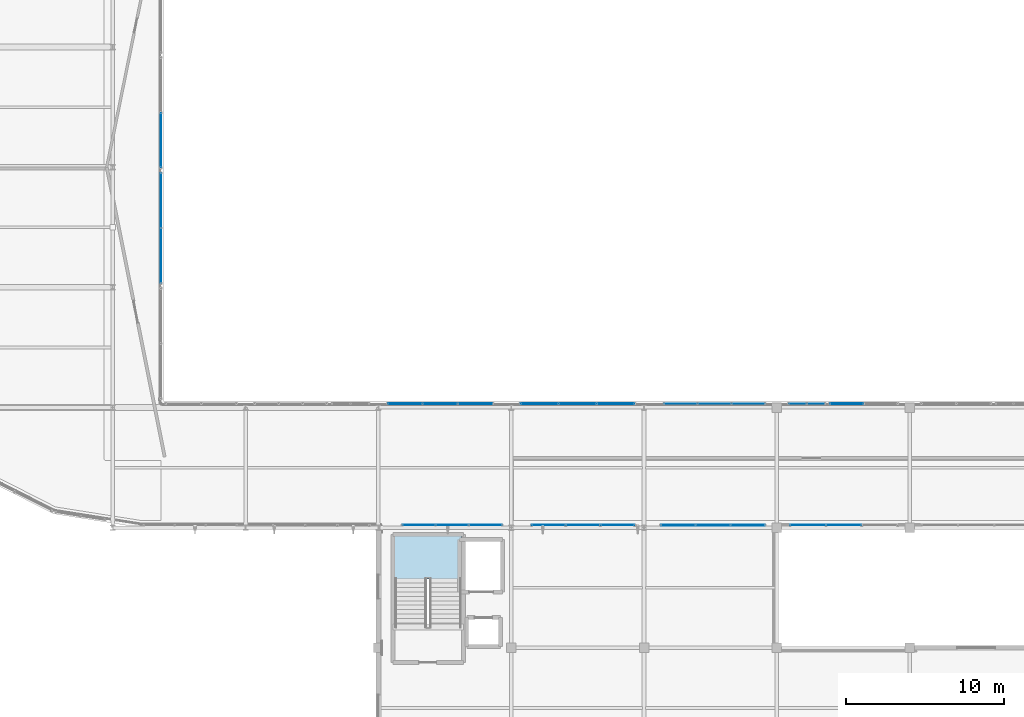
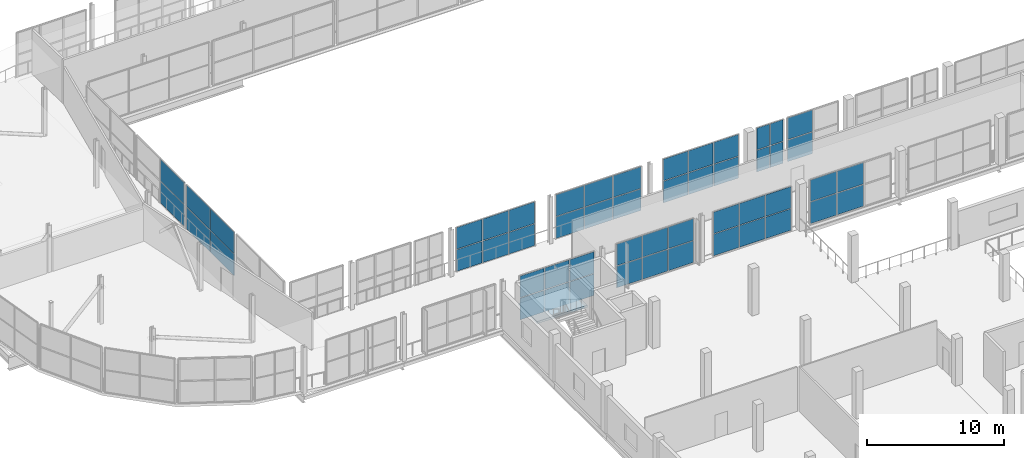
# One storey, part 113 of 151: 52 plates, 1 slab, 12 elements without a shape of their own.
"""IFC4 building model written with IfcOpenShell, lengths in metres."""

from ifc_helpers import new_model, si_unit, direction, frame, origin, origin_2d, place, context, subcontext, project, spatial, polyline, rectangle, outline, extrude, material, layer, layer_set, type_object, element, aggregate, save


model = new_model("IFC4")

# Units and contexts
model_context = context("Model", 3, precision=1e-05, world=origin(), true_north=direction((0.0, 1.0)))
body_context = subcontext(model_context, "Body", "Model", "MODEL_VIEW")
ifc_project = project(units=[si_unit("LENGTHUNIT", "METRE"), si_unit("AREAUNIT", "SQUARE_METRE"), si_unit("VOLUMEUNIT", "CUBIC_METRE"), si_unit("PLANEANGLEUNIT", "RADIAN"), si_unit("MASSUNIT", "GRAM", prefix="KILO")], contexts=[model_context])

# Site, building, storey
site_placement = place(None, origin())
site = spatial("IfcSite", under=ifc_project, at=site_placement, CompositionType="ELEMENT")
building_placement = place(site_placement, origin())
building = spatial("IfcBuilding", under=site, at=building_placement, Name="Zuvorla Pavilion Media Centre", CompositionType="ELEMENT")
storey_placement = place(building_placement, frame((0.0, 0.0, 13.800048828125)))
storey = spatial("IfcBuildingStorey", under=building, at=storey_placement, Name="L03", CompositionType="ELEMENT", Elevation=13.800048828125)

# Curtain wall, plates
ifc_material_1 = material(Name="Unitised anodised aluminium and solar glass curtain wall", Category="aluminium")
curtain_wall_type_1 = type_object("IfcCurtainWallType", Name="CW-SYS-36", PredefinedType="USERDEFINED", material=ifc_material_1)
curtain_wall_1_placement = place(storey_placement, origin())
curtain_wall_1 = element("IfcCurtainWall", 1, at=curtain_wall_1_placement, inside=storey, type_object=curtain_wall_type_1, Name="L03 curtain wall CW36 134", ObjectType="CURTAIN WALL", PredefinedType="USERDEFINED")
ifc_material_2 = material(Name="Solar control double glazing", Category="glass")
ifc_layer_1 = layer(ifc_material_2, 0.028076171875)
ifc_layer_set_1 = layer_set([ifc_layer_1], Name="Solar control double glazing")
plate_type_1 = type_object("IfcPlateType", Name="CW-PNL-28", PredefinedType="CURTAIN_PANEL", material=ifc_layer_set_1)
plate_1_placement = place(storey_placement, frame((44.161376953125, 44.159912109375, 0.030029296875), z_axis=(0.0, 0.0, 1.0), x_axis=(1.0, 0.0, 0.0)))
plate_1 = element("IfcPlate", 2, at=plate_1_placement, type_object=plate_type_1, Name="CW36 panel 1.1", PredefinedType="CURTAIN_PANEL", context=body_context, shape_type="SweptSolid", body=[
    extrude(rectangle(XDim=2.042724609375, YDim=0.028076171875, at=origin_2d()), origin(), (0.0, 0.0, 1.0), 1.919921875),
])
plate_2_placement = place(storey_placement, frame((44.161376953125, 44.159912109375, 2.010009765625), z_axis=(0.0, 0.0, 1.0), x_axis=(1.0, 0.0, 0.0)))
plate_2 = element("IfcPlate", 3, at=plate_2_placement, type_object=plate_type_1, Name="CW36 panel 1.2", PredefinedType="CURTAIN_PANEL", context=body_context, shape_type="SweptSolid", body=[
    extrude(rectangle(XDim=2.042724609375, YDim=0.028076171875, at=origin_2d()), origin(), (0.0, 0.0, 1.0), 1.919921875),
])
plate_3_placement = place(storey_placement, frame((46.26416015625, 44.159912109375, 0.030029296875), z_axis=(0.0, 0.0, 1.0), x_axis=(1.0, 0.0, 0.0)))
plate_3 = element("IfcPlate", 4, at=plate_3_placement, type_object=plate_type_1, Name="CW36 panel 2.1", PredefinedType="CURTAIN_PANEL", context=body_context, shape_type="SweptSolid", body=[
    extrude(rectangle(XDim=2.042724609375, YDim=0.028076171875, at=origin_2d()), origin(), (0.0, 0.0, 1.0), 1.919921875),
])
plate_4_placement = place(storey_placement, frame((46.26416015625, 44.159912109375, 2.010009765625), z_axis=(0.0, 0.0, 1.0), x_axis=(1.0, 0.0, 0.0)))
plate_4 = element("IfcPlate", 5, at=plate_4_placement, type_object=plate_type_1, Name="CW36 panel 2.2", PredefinedType="CURTAIN_PANEL", context=body_context, shape_type="SweptSolid", body=[
    extrude(rectangle(XDim=2.042724609375, YDim=0.028076171875, at=origin_2d()), origin(), (0.0, 0.0, 1.0), 1.919921875),
])
plate_5_placement = place(storey_placement, frame((48.36669921875, 44.159912109375, 0.030029296875), z_axis=(0.0, 0.0, 1.0), x_axis=(1.0, 0.0, 0.0)))
plate_5 = element("IfcPlate", 6, at=plate_5_placement, type_object=plate_type_1, Name="CW36 panel 3.1", PredefinedType="CURTAIN_PANEL", context=body_context, shape_type="SweptSolid", body=[
    extrude(rectangle(XDim=2.042724609375, YDim=0.028076171875, at=origin_2d()), origin(), (0.0, 0.0, 1.0), 1.919921875),
])
plate_6_placement = place(storey_placement, frame((48.36669921875, 44.159912109375, 2.010009765625), z_axis=(0.0, 0.0, 1.0), x_axis=(1.0, 0.0, 0.0)))
plate_6 = element("IfcPlate", 7, at=plate_6_placement, type_object=plate_type_1, Name="CW36 panel 3.2", PredefinedType="CURTAIN_PANEL", context=body_context, shape_type="SweptSolid", body=[
    extrude(rectangle(XDim=2.042724609375, YDim=0.028076171875, at=origin_2d()), origin(), (0.0, 0.0, 1.0), 1.919921875),
])
aggregate(curtain_wall_1, [plate_1, plate_2, plate_3, plate_4, plate_5, plate_6])

curtain_wall_type_2 = type_object("IfcCurtainWallType", Name="CW-SYS-69", PredefinedType="USERDEFINED", material=ifc_material_1)
curtain_wall_2_placement = place(storey_placement, origin())
curtain_wall_2 = element("IfcCurtainWall", 8, at=curtain_wall_2_placement, inside=storey, type_object=curtain_wall_type_2, Name="L03 curtain wall CW69 137", ObjectType="CURTAIN WALL", PredefinedType="USERDEFINED")
plate_7_placement = place(storey_placement, frame((68.771728515625, 44.159912109375, 0.030029296875), z_axis=(0.0, 0.0, 1.0), x_axis=(1.0, 0.0, 0.0)))
plate_7 = element("IfcPlate", 9, at=plate_7_placement, type_object=plate_type_1, Name="CW69 panel 1.1", PredefinedType="CURTAIN_PANEL", context=body_context, shape_type="SweptSolid", body=[
    extrude(rectangle(XDim=2.213623046875, YDim=0.028076171875, at=origin_2d()), origin(), (0.0, 0.0, 1.0), 1.919921875),
])
plate_8_placement = place(storey_placement, frame((68.771728515625, 44.159912109375, 2.010009765625), z_axis=(0.0, 0.0, 1.0), x_axis=(1.0, 0.0, 0.0)))
plate_8 = element("IfcPlate", 10, at=plate_8_placement, type_object=plate_type_1, Name="CW69 panel 1.2", PredefinedType="CURTAIN_PANEL", context=body_context, shape_type="SweptSolid", body=[
    extrude(rectangle(XDim=2.213623046875, YDim=0.028076171875, at=origin_2d()), origin(), (0.0, 0.0, 1.0), 1.919921875),
])
plate_9_placement = place(storey_placement, frame((71.04541015625, 44.159912109375, 0.030029296875), z_axis=(0.0, 0.0, 1.0), x_axis=(1.0, 0.0, 0.0)))
plate_9 = element("IfcPlate", 11, at=plate_9_placement, type_object=plate_type_1, Name="CW69 panel 2.1", PredefinedType="CURTAIN_PANEL", context=body_context, shape_type="SweptSolid", body=[
    extrude(rectangle(XDim=2.213623046875, YDim=0.028076171875, at=origin_2d()), origin(), (0.0, 0.0, 1.0), 1.919921875),
])
plate_10_placement = place(storey_placement, frame((71.04541015625, 44.159912109375, 2.010009765625), z_axis=(0.0, 0.0, 1.0), x_axis=(1.0, 0.0, 0.0)))
plate_10 = element("IfcPlate", 12, at=plate_10_placement, type_object=plate_type_1, Name="CW69 panel 2.2", PredefinedType="CURTAIN_PANEL", context=body_context, shape_type="SweptSolid", body=[
    extrude(rectangle(XDim=2.213623046875, YDim=0.028076171875, at=origin_2d()), origin(), (0.0, 0.0, 1.0), 1.919921875),
])
aggregate(curtain_wall_2, [plate_7, plate_8, plate_9, plate_10])

curtain_wall_type_3 = type_object("IfcCurtainWallType", Name="CW-SYS-46", PredefinedType="USERDEFINED", material=ifc_material_1)
curtain_wall_3_placement = place(storey_placement, origin())
curtain_wall_3 = element("IfcCurtainWall", 13, at=curtain_wall_3_placement, inside=storey, type_object=curtain_wall_type_3, Name="L03 curtain wall CW46 156", ObjectType="CURTAIN WALL", PredefinedType="USERDEFINED")
plate_11_placement = place(storey_placement, frame((60.725830078125, 51.840087890625, 0.030029296875), z_axis=(0.0, 0.0, 1.0), x_axis=(1.0, 0.0, 0.0)))
plate_11 = element("IfcPlate", 14, at=plate_11_placement, type_object=plate_type_1, Name="CW46 panel 1.1", PredefinedType="CURTAIN_PANEL", context=body_context, shape_type="SweptSolid", body=[
    extrude(rectangle(XDim=2.072021484375, YDim=0.028076171875, at=origin_2d()), origin(), (0.0, 0.0, 1.0), 1.919921875),
])
plate_12_placement = place(storey_placement, frame((60.725830078125, 51.840087890625, 2.010009765625), z_axis=(0.0, 0.0, 1.0), x_axis=(1.0, 0.0, 0.0)))
plate_12 = element("IfcPlate", 15, at=plate_12_placement, type_object=plate_type_1, Name="CW46 panel 1.2", PredefinedType="CURTAIN_PANEL", context=body_context, shape_type="SweptSolid", body=[
    extrude(rectangle(XDim=2.072021484375, YDim=0.028076171875, at=origin_2d()), origin(), (0.0, 0.0, 1.0), 1.919921875),
])
plate_13_placement = place(storey_placement, frame((62.85791015625, 51.840087890625, 0.030029296875), z_axis=(0.0, 0.0, 1.0), x_axis=(1.0, 0.0, 0.0)))
plate_13 = element("IfcPlate", 16, at=plate_13_placement, type_object=plate_type_1, Name="CW46 panel 2.1", PredefinedType="CURTAIN_PANEL", context=body_context, shape_type="SweptSolid", body=[
    extrude(rectangle(XDim=2.072021484375, YDim=0.028076171875, at=origin_2d()), origin(), (0.0, 0.0, 1.0), 1.919921875),
])
plate_14_placement = place(storey_placement, frame((62.85791015625, 51.840087890625, 2.010009765625), z_axis=(0.0, 0.0, 1.0), x_axis=(1.0, 0.0, 0.0)))
plate_14 = element("IfcPlate", 17, at=plate_14_placement, type_object=plate_type_1, Name="CW46 panel 2.2", PredefinedType="CURTAIN_PANEL", context=body_context, shape_type="SweptSolid", body=[
    extrude(rectangle(XDim=2.072021484375, YDim=0.028076171875, at=origin_2d()), origin(), (0.0, 0.0, 1.0), 1.919921875),
])
plate_15_placement = place(storey_placement, frame((64.98974609375, 51.840087890625, 0.030029296875), z_axis=(0.0, 0.0, 1.0), x_axis=(1.0, 0.0, 0.0)))
plate_15 = element("IfcPlate", 18, at=plate_15_placement, type_object=plate_type_1, Name="CW46 panel 3.1", PredefinedType="CURTAIN_PANEL", context=body_context, shape_type="SweptSolid", body=[
    extrude(rectangle(XDim=2.072021484375, YDim=0.028076171875, at=origin_2d()), origin(), (0.0, 0.0, 1.0), 1.919921875),
])
plate_16_placement = place(storey_placement, frame((64.98974609375, 51.840087890625, 2.010009765625), z_axis=(0.0, 0.0, 1.0), x_axis=(1.0, 0.0, 0.0)))
plate_16 = element("IfcPlate", 19, at=plate_16_placement, type_object=plate_type_1, Name="CW46 panel 3.2", PredefinedType="CURTAIN_PANEL", context=body_context, shape_type="SweptSolid", body=[
    extrude(rectangle(XDim=2.072021484375, YDim=0.028076171875, at=origin_2d()), origin(), (0.0, 0.0, 1.0), 1.919921875),
])
aggregate(curtain_wall_3, [plate_11, plate_12, plate_13, plate_14, plate_15, plate_16])

curtain_wall_type_4 = type_object("IfcCurtainWallType", Name="CW-SYS-75", PredefinedType="USERDEFINED", material=ifc_material_1)
curtain_wall_4_placement = place(storey_placement, origin())
curtain_wall_4 = element("IfcCurtainWall", 20, at=curtain_wall_4_placement, inside=storey, type_object=curtain_wall_type_4, Name="L03 curtain wall CW75 157", ObjectType="CURTAIN WALL", PredefinedType="USERDEFINED")
plate_17_placement = place(storey_placement, frame((68.1181640625, 51.840087890625, 0.030029296875), z_axis=(0.0, 0.0, 1.0), x_axis=(1.0, 0.0, 0.0)))
plate_17 = element("IfcPlate", 21, at=plate_17_placement, type_object=plate_type_1, Name="CW75 panel 1.1", PredefinedType="CURTAIN_PANEL", context=body_context, shape_type="SweptSolid", body=[
    extrude(rectangle(XDim=1.087890625, YDim=0.028076171875, at=origin_2d()), origin(), (0.0, 0.0, 1.0), 1.919921875),
])
plate_18_placement = place(storey_placement, frame((68.1181640625, 51.840087890625, 2.010009765625), z_axis=(0.0, 0.0, 1.0), x_axis=(1.0, 0.0, 0.0)))
plate_18 = element("IfcPlate", 22, at=plate_18_placement, type_object=plate_type_1, Name="CW75 panel 1.2", PredefinedType="CURTAIN_PANEL", context=body_context, shape_type="SweptSolid", body=[
    extrude(rectangle(XDim=1.087890625, YDim=0.028076171875, at=origin_2d()), origin(), (0.0, 0.0, 1.0), 1.919921875),
])
plate_19_placement = place(storey_placement, frame((69.26611328125, 51.840087890625, 0.030029296875), z_axis=(0.0, 0.0, 1.0), x_axis=(1.0, 0.0, 0.0)))
plate_19 = element("IfcPlate", 23, at=plate_19_placement, type_object=plate_type_1, Name="CW75 panel 2.1", PredefinedType="CURTAIN_PANEL", context=body_context, shape_type="SweptSolid", body=[
    extrude(rectangle(XDim=1.087890625, YDim=0.028076171875, at=origin_2d()), origin(), (0.0, 0.0, 1.0), 1.919921875),
])
plate_20_placement = place(storey_placement, frame((69.26611328125, 51.840087890625, 2.010009765625), z_axis=(0.0, 0.0, 1.0), x_axis=(1.0, 0.0, 0.0)))
plate_20 = element("IfcPlate", 24, at=plate_20_placement, type_object=plate_type_1, Name="CW75 panel 2.2", PredefinedType="CURTAIN_PANEL", context=body_context, shape_type="SweptSolid", body=[
    extrude(rectangle(XDim=1.087890625, YDim=0.028076171875, at=origin_2d()), origin(), (0.0, 0.0, 1.0), 1.919921875),
])
aggregate(curtain_wall_4, [plate_17, plate_18, plate_19, plate_20])

curtain_wall_type_5 = type_object("IfcCurtainWallType", Name="CW-SYS-24", PredefinedType="USERDEFINED", material=ifc_material_1)
curtain_wall_5_placement = place(storey_placement, origin())
curtain_wall_5 = element("IfcCurtainWall", 25, at=curtain_wall_5_placement, inside=storey, type_object=curtain_wall_type_5, Name="L03 curtain wall CW24 188", ObjectType="CURTAIN WALL", PredefinedType="USERDEFINED")
plate_21_placement = place(storey_placement, frame((27.840087890625, 64.695068359375, 0.030029296875), z_axis=(0.0, 0.0, 1.0), x_axis=(0.0, -1.0, 0.0)))
plate_21 = element("IfcPlate", 26, at=plate_21_placement, type_object=plate_type_1, Name="CW24 panel 1.1", PredefinedType="CURTAIN_PANEL", context=body_context, shape_type="SweptSolid", body=[
    extrude(rectangle(XDim=3.429931640625, YDim=0.028076171875, at=origin_2d()), origin(), (0.0, 0.0, 1.0), 1.919921875),
])
plate_22_placement = place(storey_placement, frame((27.840087890625, 64.695068359375, 2.010009765625), z_axis=(0.0, 0.0, 1.0), x_axis=(0.0, -1.0, 0.0)))
plate_22 = element("IfcPlate", 27, at=plate_22_placement, type_object=plate_type_1, Name="CW24 panel 1.2", PredefinedType="CURTAIN_PANEL", context=body_context, shape_type="SweptSolid", body=[
    extrude(rectangle(XDim=3.429931640625, YDim=0.028076171875, at=origin_2d()), origin(), (0.0, 0.0, 1.0), 1.919921875),
])
plate_23_placement = place(storey_placement, frame((27.840087890625, 61.205078125, 0.030029296875), z_axis=(0.0, 0.0, 1.0), x_axis=(0.0, -1.0, 0.0)))
plate_23 = element("IfcPlate", 28, at=plate_23_placement, type_object=plate_type_1, Name="CW24 panel 2.1", PredefinedType="CURTAIN_PANEL", context=body_context, shape_type="SweptSolid", body=[
    extrude(rectangle(XDim=3.429931640625, YDim=0.028076171875, at=origin_2d()), origin(), (0.0, 0.0, 1.0), 1.919921875),
])
plate_24_placement = place(storey_placement, frame((27.840087890625, 61.205078125, 2.010009765625), z_axis=(0.0, 0.0, 1.0), x_axis=(0.0, -1.0, 0.0)))
plate_24 = element("IfcPlate", 29, at=plate_24_placement, type_object=plate_type_1, Name="CW24 panel 2.2", PredefinedType="CURTAIN_PANEL", context=body_context, shape_type="SweptSolid", body=[
    extrude(rectangle(XDim=3.429931640625, YDim=0.028076171875, at=origin_2d()), origin(), (0.0, 0.0, 1.0), 1.919921875),
])
aggregate(curtain_wall_5, [plate_21, plate_22, plate_23, plate_24])

curtain_wall_type_6 = type_object("IfcCurtainWallType", Name="CW-SYS-63", PredefinedType="USERDEFINED", material=ifc_material_1)
curtain_wall_6_placement = place(storey_placement, origin())
curtain_wall_6 = element("IfcCurtainWall", 30, at=curtain_wall_6_placement, inside=storey, type_object=curtain_wall_type_6, Name="L03 curtain wall CW63 135", ObjectType="CURTAIN WALL", PredefinedType="USERDEFINED")
ifc_material_3 = material(Name="Acoustic laminated solar glazing", Category="glass")
ifc_layer_2 = layer(ifc_material_3, 0.033935546875)
ifc_layer_set_2 = layer_set([ifc_layer_2], Name="Acoustic laminated solar glazing")
plate_type_2 = type_object("IfcPlateType", Name="CW-PNL-34", PredefinedType="CURTAIN_PANEL", material=ifc_layer_set_2)
plate_25_placement = place(storey_placement, frame((52.373779296875, 44.159912109375, 0.030029296875), z_axis=(0.0, 0.0, 1.0), x_axis=(1.0, 0.0, 0.0)))
plate_25 = element("IfcPlate", 31, at=plate_25_placement, type_object=plate_type_2, Name="CW63 panel 1.1", PredefinedType="CURTAIN_PANEL", context=body_context, shape_type="SweptSolid", body=[
    extrude(rectangle(XDim=2.11767578125, YDim=0.033935546875, at=origin_2d()), origin(), (0.0, 0.0, 1.0), 1.919921875),
])
plate_26_placement = place(storey_placement, frame((52.373779296875, 44.159912109375, 2.010009765625), z_axis=(0.0, 0.0, 1.0), x_axis=(1.0, 0.0, 0.0)))
plate_26 = element("IfcPlate", 32, at=plate_26_placement, type_object=plate_type_2, Name="CW63 panel 1.2", PredefinedType="CURTAIN_PANEL", context=body_context, shape_type="SweptSolid", body=[
    extrude(rectangle(XDim=2.11767578125, YDim=0.033935546875, at=origin_2d()), origin(), (0.0, 0.0, 1.0), 1.919921875),
])
plate_27_placement = place(storey_placement, frame((54.551513671875, 44.159912109375, 0.030029296875), z_axis=(0.0, 0.0, 1.0), x_axis=(1.0, 0.0, 0.0)))
plate_27 = element("IfcPlate", 33, at=plate_27_placement, type_object=plate_type_2, Name="CW63 panel 2.1", PredefinedType="CURTAIN_PANEL", context=body_context, shape_type="SweptSolid", body=[
    extrude(rectangle(XDim=2.11767578125, YDim=0.033935546875, at=origin_2d()), origin(), (0.0, 0.0, 1.0), 1.919921875),
])
plate_28_placement = place(storey_placement, frame((54.551513671875, 44.159912109375, 2.010009765625), z_axis=(0.0, 0.0, 1.0), x_axis=(1.0, 0.0, 0.0)))
plate_28 = element("IfcPlate", 34, at=plate_28_placement, type_object=plate_type_2, Name="CW63 panel 2.2", PredefinedType="CURTAIN_PANEL", context=body_context, shape_type="SweptSolid", body=[
    extrude(rectangle(XDim=2.11767578125, YDim=0.033935546875, at=origin_2d()), origin(), (0.0, 0.0, 1.0), 1.919921875),
])
plate_29_placement = place(storey_placement, frame((56.729248046875, 44.159912109375, 0.030029296875), z_axis=(0.0, 0.0, 1.0), x_axis=(1.0, 0.0, 0.0)))
plate_29 = element("IfcPlate", 35, at=plate_29_placement, type_object=plate_type_2, Name="CW63 panel 3.1", PredefinedType="CURTAIN_PANEL", context=body_context, shape_type="SweptSolid", body=[
    extrude(rectangle(XDim=2.11767578125, YDim=0.033935546875, at=origin_2d()), origin(), (0.0, 0.0, 1.0), 1.919921875),
])
plate_30_placement = place(storey_placement, frame((56.729248046875, 44.159912109375, 2.010009765625), z_axis=(0.0, 0.0, 1.0), x_axis=(1.0, 0.0, 0.0)))
plate_30 = element("IfcPlate", 36, at=plate_30_placement, type_object=plate_type_2, Name="CW63 panel 3.2", PredefinedType="CURTAIN_PANEL", context=body_context, shape_type="SweptSolid", body=[
    extrude(rectangle(XDim=2.11767578125, YDim=0.033935546875, at=origin_2d()), origin(), (0.0, 0.0, 1.0), 1.919921875),
])
aggregate(curtain_wall_6, [plate_25, plate_26, plate_27, plate_28, plate_29, plate_30])

curtain_wall_type_7 = type_object("IfcCurtainWallType", Name="CW-SYS-32", PredefinedType="USERDEFINED", material=ifc_material_1)
curtain_wall_7_placement = place(storey_placement, origin())
curtain_wall_7 = element("IfcCurtainWall", 37, at=curtain_wall_7_placement, inside=storey, type_object=curtain_wall_type_7, Name="L03 curtain wall CW32 152", ObjectType="CURTAIN WALL", PredefinedType="USERDEFINED")
plate_31_placement = place(storey_placement, frame((43.29150390625, 51.840087890625, 0.030029296875), z_axis=(0.0, 0.0, 1.0), x_axis=(1.0, 0.0, 0.0)))
plate_31 = element("IfcPlate", 38, at=plate_31_placement, type_object=plate_type_2, Name="CW32 panel 1.1", PredefinedType="CURTAIN_PANEL", context=body_context, shape_type="SweptSolid", body=[
    extrude(rectangle(XDim=2.159423828125, YDim=0.033935546875, at=origin_2d()), origin(), (0.0, 0.0, 1.0), 1.919921875),
])
plate_32_placement = place(storey_placement, frame((43.29150390625, 51.840087890625, 2.010009765625), z_axis=(0.0, 0.0, 1.0), x_axis=(1.0, 0.0, 0.0)))
plate_32 = element("IfcPlate", 39, at=plate_32_placement, type_object=plate_type_2, Name="CW32 panel 1.2", PredefinedType="CURTAIN_PANEL", context=body_context, shape_type="SweptSolid", body=[
    extrude(rectangle(XDim=2.159423828125, YDim=0.033935546875, at=origin_2d()), origin(), (0.0, 0.0, 1.0), 1.919921875),
])
plate_33_placement = place(storey_placement, frame((45.510986328125, 51.840087890625, 0.030029296875), z_axis=(0.0, 0.0, 1.0), x_axis=(1.0, 0.0, 0.0)))
plate_33 = element("IfcPlate", 40, at=plate_33_placement, type_object=plate_type_2, Name="CW32 panel 2.1", PredefinedType="CURTAIN_PANEL", context=body_context, shape_type="SweptSolid", body=[
    extrude(rectangle(XDim=2.159423828125, YDim=0.033935546875, at=origin_2d()), origin(), (0.0, 0.0, 1.0), 1.919921875),
])
plate_34_placement = place(storey_placement, frame((45.510986328125, 51.840087890625, 2.010009765625), z_axis=(0.0, 0.0, 1.0), x_axis=(1.0, 0.0, 0.0)))
plate_34 = element("IfcPlate", 41, at=plate_34_placement, type_object=plate_type_2, Name="CW32 panel 2.2", PredefinedType="CURTAIN_PANEL", context=body_context, shape_type="SweptSolid", body=[
    extrude(rectangle(XDim=2.159423828125, YDim=0.033935546875, at=origin_2d()), origin(), (0.0, 0.0, 1.0), 1.919921875),
])
plate_35_placement = place(storey_placement, frame((47.730224609375, 51.840087890625, 0.030029296875), z_axis=(0.0, 0.0, 1.0), x_axis=(1.0, 0.0, 0.0)))
plate_35 = element("IfcPlate", 42, at=plate_35_placement, type_object=plate_type_2, Name="CW32 panel 3.1", PredefinedType="CURTAIN_PANEL", context=body_context, shape_type="SweptSolid", body=[
    extrude(rectangle(XDim=2.159423828125, YDim=0.033935546875, at=origin_2d()), origin(), (0.0, 0.0, 1.0), 1.919921875),
])
plate_36_placement = place(storey_placement, frame((47.730224609375, 51.840087890625, 2.010009765625), z_axis=(0.0, 0.0, 1.0), x_axis=(1.0, 0.0, 0.0)))
plate_36 = element("IfcPlate", 43, at=plate_36_placement, type_object=plate_type_2, Name="CW32 panel 3.2", PredefinedType="CURTAIN_PANEL", context=body_context, shape_type="SweptSolid", body=[
    extrude(rectangle(XDim=2.159423828125, YDim=0.033935546875, at=origin_2d()), origin(), (0.0, 0.0, 1.0), 1.919921875),
])
aggregate(curtain_wall_7, [plate_31, plate_32, plate_33, plate_34, plate_35, plate_36])

curtain_wall_type_8 = type_object("IfcCurtainWallType", Name="CW-SYS-41", PredefinedType="USERDEFINED", material=ifc_material_1)
curtain_wall_8_placement = place(storey_placement, origin())
curtain_wall_8 = element("IfcCurtainWall", 44, at=curtain_wall_8_placement, inside=storey, type_object=curtain_wall_type_8, Name="L03 curtain wall CW41 160", ObjectType="CURTAIN WALL", PredefinedType="USERDEFINED")
plate_37_placement = place(storey_placement, frame((71.23388671875, 51.840087890625, 0.030029296875), z_axis=(0.0, 0.0, 1.0), x_axis=(1.0, 0.0, 0.0)))
plate_37 = element("IfcPlate", 45, at=plate_37_placement, type_object=plate_type_2, Name="CW41 panel 1.1", PredefinedType="CURTAIN_PANEL", context=body_context, shape_type="SweptSolid", body=[
    extrude(rectangle(XDim=2.087890625, YDim=0.033935546875, at=origin_2d()), origin(), (0.0, 0.0, 1.0), 1.919921875),
])
plate_38_placement = place(storey_placement, frame((71.23388671875, 51.840087890625, 2.010009765625), z_axis=(0.0, 0.0, 1.0), x_axis=(1.0, 0.0, 0.0)))
plate_38 = element("IfcPlate", 46, at=plate_38_placement, type_object=plate_type_2, Name="CW41 panel 1.2", PredefinedType="CURTAIN_PANEL", context=body_context, shape_type="SweptSolid", body=[
    extrude(rectangle(XDim=2.087890625, YDim=0.033935546875, at=origin_2d()), origin(), (0.0, 0.0, 1.0), 1.919921875),
])
aggregate(curtain_wall_8, [plate_37, plate_38])

curtain_wall_type_9 = type_object("IfcCurtainWallType", Name="CW-SYS-58", PredefinedType="USERDEFINED", material=ifc_material_1)
curtain_wall_9_placement = place(storey_placement, origin())
curtain_wall_9 = element("IfcCurtainWall", 47, at=curtain_wall_9_placement, inside=storey, type_object=curtain_wall_type_9, Name="L03 curtain wall CW58 190", ObjectType="CURTAIN WALL", PredefinedType="USERDEFINED")
plate_39_placement = place(storey_placement, frame((27.840087890625, 68.5048828125, 0.030029296875), z_axis=(0.0, 0.0, 1.0), x_axis=(0.0, -1.0, 0.0)))
plate_39 = element("IfcPlate", 48, at=plate_39_placement, type_object=plate_type_2, Name="CW58 panel 2.1", PredefinedType="CURTAIN_PANEL", context=body_context, shape_type="SweptSolid", body=[
    extrude(rectangle(XDim=3.429931640625, YDim=0.033935546875, at=origin_2d()), origin(), (0.0, 0.0, 1.0), 1.919921875),
])
plate_40_placement = place(storey_placement, frame((27.840087890625, 68.5048828125, 2.010009765625), z_axis=(0.0, 0.0, 1.0), x_axis=(0.0, -1.0, 0.0)))
plate_40 = element("IfcPlate", 49, at=plate_40_placement, type_object=plate_type_2, Name="CW58 panel 2.2", PredefinedType="CURTAIN_PANEL", context=body_context, shape_type="SweptSolid", body=[
    extrude(rectangle(XDim=3.429931640625, YDim=0.033935546875, at=origin_2d()), origin(), (0.0, 0.0, 1.0), 1.919921875),
])
aggregate(curtain_wall_9, [plate_39, plate_40])

curtain_wall_type_10 = type_object("IfcCurtainWallType", Name="CW-SYS-68", PredefinedType="USERDEFINED", material=ifc_material_1)
curtain_wall_10_placement = place(storey_placement, origin())
curtain_wall_10 = element("IfcCurtainWall", 50, at=curtain_wall_10_placement, inside=storey, type_object=curtain_wall_type_10, Name="L03 curtain wall CW68 136", ObjectType="CURTAIN WALL", PredefinedType="USERDEFINED")
ifc_material_4 = material(Name="Triple acoustic broadcast glazing", Category="glass")
ifc_layer_3 = layer(ifc_material_4, 0.0419921875)
ifc_layer_set_3 = layer_set([ifc_layer_3], Name="Triple acoustic broadcast glazing")
plate_type_3 = type_object("IfcPlateType", Name="CW-PNL-42", PredefinedType="CURTAIN_PANEL", material=ifc_layer_set_3)
plate_41_placement = place(storey_placement, frame((60.559326171875, 44.159912109375, 0.030029296875), z_axis=(0.0, 0.0, 1.0), x_axis=(1.0, 0.0, 0.0)))
plate_41 = element("IfcPlate", 51, at=plate_41_placement, type_object=plate_type_3, Name="CW68 panel 1.1", PredefinedType="CURTAIN_PANEL", context=body_context, shape_type="SweptSolid", body=[
    extrude(rectangle(XDim=2.138671875, YDim=0.0419921875, at=origin_2d()), origin(), (0.0, 0.0, 1.0), 1.919921875),
])
plate_42_placement = place(storey_placement, frame((60.559326171875, 44.159912109375, 2.010009765625), z_axis=(0.0, 0.0, 1.0), x_axis=(1.0, 0.0, 0.0)))
plate_42 = element("IfcPlate", 52, at=plate_42_placement, type_object=plate_type_3, Name="CW68 panel 1.2", PredefinedType="CURTAIN_PANEL", context=body_context, shape_type="SweptSolid", body=[
    extrude(rectangle(XDim=2.138671875, YDim=0.0419921875, at=origin_2d()), origin(), (0.0, 0.0, 1.0), 1.919921875),
])
plate_43_placement = place(storey_placement, frame((62.7578125, 44.159912109375, 0.030029296875), z_axis=(0.0, 0.0, 1.0), x_axis=(1.0, 0.0, 0.0)))
plate_43 = element("IfcPlate", 53, at=plate_43_placement, type_object=plate_type_3, Name="CW68 panel 2.1", PredefinedType="CURTAIN_PANEL", context=body_context, shape_type="SweptSolid", body=[
    extrude(rectangle(XDim=2.138671875, YDim=0.0419921875, at=origin_2d()), origin(), (0.0, 0.0, 1.0), 1.919921875),
])
plate_44_placement = place(storey_placement, frame((62.7578125, 44.159912109375, 2.010009765625), z_axis=(0.0, 0.0, 1.0), x_axis=(1.0, 0.0, 0.0)))
plate_44 = element("IfcPlate", 54, at=plate_44_placement, type_object=plate_type_3, Name="CW68 panel 2.2", PredefinedType="CURTAIN_PANEL", context=body_context, shape_type="SweptSolid", body=[
    extrude(rectangle(XDim=2.138671875, YDim=0.0419921875, at=origin_2d()), origin(), (0.0, 0.0, 1.0), 1.919921875),
])
plate_45_placement = place(storey_placement, frame((64.956298828125, 44.159912109375, 0.030029296875), z_axis=(0.0, 0.0, 1.0), x_axis=(1.0, 0.0, 0.0)))
plate_45 = element("IfcPlate", 55, at=plate_45_placement, type_object=plate_type_3, Name="CW68 panel 3.1", PredefinedType="CURTAIN_PANEL", context=body_context, shape_type="SweptSolid", body=[
    extrude(rectangle(XDim=2.138671875, YDim=0.0419921875, at=origin_2d()), origin(), (0.0, 0.0, 1.0), 1.919921875),
])
plate_46_placement = place(storey_placement, frame((64.956298828125, 44.159912109375, 2.010009765625), z_axis=(0.0, 0.0, 1.0), x_axis=(1.0, 0.0, 0.0)))
plate_46 = element("IfcPlate", 56, at=plate_46_placement, type_object=plate_type_3, Name="CW68 panel 3.2", PredefinedType="CURTAIN_PANEL", context=body_context, shape_type="SweptSolid", body=[
    extrude(rectangle(XDim=2.138671875, YDim=0.0419921875, at=origin_2d()), origin(), (0.0, 0.0, 1.0), 1.919921875),
])
aggregate(curtain_wall_10, [plate_41, plate_42, plate_43, plate_44, plate_45, plate_46])

curtain_wall_type_11 = type_object("IfcCurtainWallType", Name="CW-SYS-74", PredefinedType="USERDEFINED", material=ifc_material_1)
curtain_wall_11_placement = place(storey_placement, origin())
curtain_wall_11 = element("IfcCurtainWall", 57, at=curtain_wall_11_placement, inside=storey, type_object=curtain_wall_type_11, Name="L03 curtain wall CW74 154", ObjectType="CURTAIN WALL", PredefinedType="USERDEFINED")
plate_47_placement = place(storey_placement, frame((51.787841796875, 51.840087890625, 0.030029296875), z_axis=(0.0, 0.0, 1.0), x_axis=(1.0, 0.0, 0.0)))
plate_47 = element("IfcPlate", 58, at=plate_47_placement, type_object=plate_type_3, Name="CW74 panel 1.1", PredefinedType="CURTAIN_PANEL", context=body_context, shape_type="SweptSolid", body=[
    extrude(rectangle(XDim=2.35205078125, YDim=0.0419921875, at=origin_2d()), origin(), (0.0, 0.0, 1.0), 1.919921875),
])
plate_48_placement = place(storey_placement, frame((51.787841796875, 51.840087890625, 2.010009765625), z_axis=(0.0, 0.0, 1.0), x_axis=(1.0, 0.0, 0.0)))
plate_48 = element("IfcPlate", 59, at=plate_48_placement, type_object=plate_type_3, Name="CW74 panel 1.2", PredefinedType="CURTAIN_PANEL", context=body_context, shape_type="SweptSolid", body=[
    extrude(rectangle(XDim=2.35205078125, YDim=0.0419921875, at=origin_2d()), origin(), (0.0, 0.0, 1.0), 1.919921875),
])
plate_49_placement = place(storey_placement, frame((54.199951171875, 51.840087890625, 0.030029296875), z_axis=(0.0, 0.0, 1.0), x_axis=(1.0, 0.0, 0.0)))
plate_49 = element("IfcPlate", 60, at=plate_49_placement, type_object=plate_type_3, Name="CW74 panel 2.1", PredefinedType="CURTAIN_PANEL", context=body_context, shape_type="SweptSolid", body=[
    extrude(rectangle(XDim=2.35205078125, YDim=0.0419921875, at=origin_2d()), origin(), (0.0, 0.0, 1.0), 1.919921875),
])
plate_50_placement = place(storey_placement, frame((54.199951171875, 51.840087890625, 2.010009765625), z_axis=(0.0, 0.0, 1.0), x_axis=(1.0, 0.0, 0.0)))
plate_50 = element("IfcPlate", 61, at=plate_50_placement, type_object=plate_type_3, Name="CW74 panel 2.2", PredefinedType="CURTAIN_PANEL", context=body_context, shape_type="SweptSolid", body=[
    extrude(rectangle(XDim=2.35205078125, YDim=0.0419921875, at=origin_2d()), origin(), (0.0, 0.0, 1.0), 1.919921875),
])
plate_51_placement = place(storey_placement, frame((56.612060546875, 51.840087890625, 0.030029296875), z_axis=(0.0, 0.0, 1.0), x_axis=(1.0, 0.0, 0.0)))
plate_51 = element("IfcPlate", 62, at=plate_51_placement, type_object=plate_type_3, Name="CW74 panel 3.1", PredefinedType="CURTAIN_PANEL", context=body_context, shape_type="SweptSolid", body=[
    extrude(rectangle(XDim=2.35205078125, YDim=0.0419921875, at=origin_2d()), origin(), (0.0, 0.0, 1.0), 1.919921875),
])
plate_52_placement = place(storey_placement, frame((56.612060546875, 51.840087890625, 2.010009765625), z_axis=(0.0, 0.0, 1.0), x_axis=(1.0, 0.0, 0.0)))
plate_52 = element("IfcPlate", 63, at=plate_52_placement, type_object=plate_type_3, Name="CW74 panel 3.2", PredefinedType="CURTAIN_PANEL", context=body_context, shape_type="SweptSolid", body=[
    extrude(rectangle(XDim=2.35205078125, YDim=0.0419921875, at=origin_2d()), origin(), (0.0, 0.0, 1.0), 1.919921875),
])
aggregate(curtain_wall_11, [plate_47, plate_48, plate_49, plate_50, plate_51, plate_52])

# Stair, slab
ifc_material_5 = material(Name="Concrete C40/50", Category="concrete")
stair_type = type_object("IfcStairType", Name="STR-DOG-420", PredefinedType="TWO_STRAIGHT_RUN_STAIR", material=ifc_material_5)
stair_placement = place(storey_placement, origin())
stair = element("IfcStair", 64, at=stair_placement, inside=storey, type_object=stair_type, Name="L03 exit stair ST-03", PredefinedType="TWO_STRAIGHT_RUN_STAIR")
ifc_layer_4 = layer(ifc_material_5, 0.199951171875)
ifc_layer_set_4 = layer_set([ifc_layer_4], Name="Concrete C40/50")
slab_type = type_object("IfcSlabType", Name="SLB-LND-200", PredefinedType="LANDING", material=ifc_layer_set_4)
slab_placement = place(storey_placement, frame((0.0, 0.0, 1.89990234375)))
slab = element("IfcSlab", 65, at=slab_placement, type_object=slab_type, Name="ST-03 landing 1", PredefinedType="LANDING", context=body_context, shape_type="SweptSolid", body=[
    extrude(outline(polyline([(42.6298828125, 40.760009765625), (46.8701171875, 40.760009765625), (46.8701171875, 43.469970703125), (42.6298828125, 43.469970703125), (42.6298828125, 40.760009765625)])), origin(), (0.0, 0.0, 1.0), 0.199951171875),
])
aggregate(stair, [slab])

save(model, "model.ifc")
